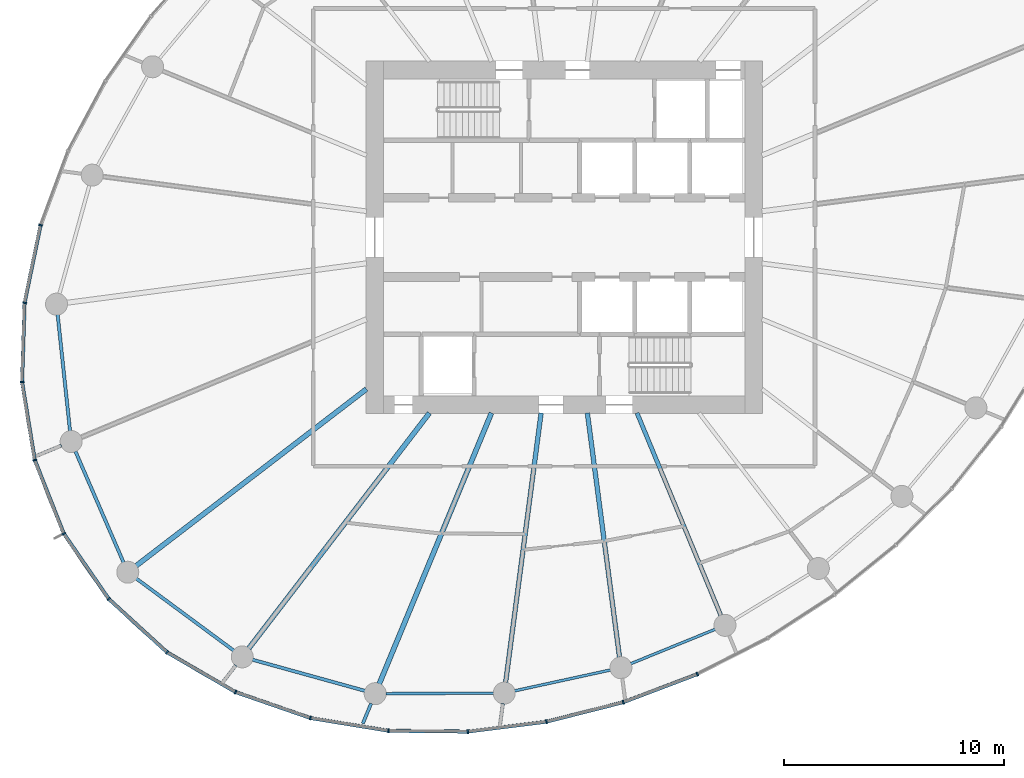
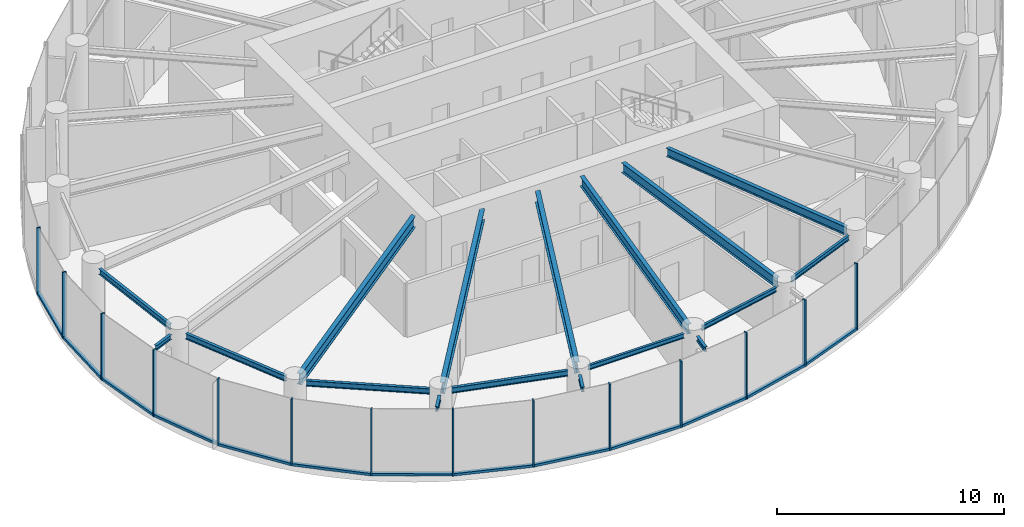
# One storey, part 2 of 14: 27 members, 17 beams, 3 elements without a shape of their own.
"""IFC4 building model written with IfcOpenShell, lengths in metres."""

from ifc_helpers import new_model, si_unit, direction, frame, origin, origin_2d, place, context, subcontext, project, spatial, rectangle, i_section, extrude, source, transform, mapped, material, layer, layer_set, material_profile, profile_set, type_object, element, aggregate, save


model = new_model("IFC4")

# Units and contexts
model_context = context("Model", 3, precision=1e-05, world=origin(), true_north=direction((0.0, 1.0)))
body_context = subcontext(model_context, "Body", "Model", "MODEL_VIEW")
ifc_project = project(units=[si_unit("LENGTHUNIT", "METRE"), si_unit("AREAUNIT", "SQUARE_METRE"), si_unit("VOLUMEUNIT", "CUBIC_METRE"), si_unit("PLANEANGLEUNIT", "RADIAN"), si_unit("MASSUNIT", "GRAM", prefix="KILO")], contexts=[model_context])

# Site, building, storey
site_placement = place(None, origin())
site = spatial("IfcSite", under=ifc_project, at=site_placement, CompositionType="ELEMENT")
building_placement = place(site_placement, origin())
building = spatial("IfcBuilding", under=site, at=building_placement, Name="Spindrift Exchange Tower", CompositionType="ELEMENT")
storey_placement = place(building_placement, frame((0.0, 0.0, 148.699951171875)))
storey = spatial("IfcBuildingStorey", under=building, at=storey_placement, Name="L35", CompositionType="ELEMENT", Elevation=148.699951171875)

# Beams
ifc_material_1 = material(Name="Steel Grade 300", Category="steel")
ifc_material_profile_1 = material_profile(ifc_material_1, i_section(OverallWidth=0.14599609375, OverallDepth=0.251953125, WebThickness=0.006103515625, FlangeThickness=0.008544921875, FilletRadius=0.011962890625, at=origin_2d()), Name="250UB31.4")
ifc_profile_set_1 = profile_set([ifc_material_profile_1], Name="Steel Grade 300")
beam_type_1 = type_object("IfcBeamType", Name="Cantilever Beam 250UB31.4 Steel Grade 300", PredefinedType="BEAM", material=ifc_profile_set_1)
shared_shape_1 = source(origin(), body_context, "Body", "SweptSolid", [
    extrude(i_section(OverallWidth=0.14599609375, OverallDepth=0.251953125, WebThickness=0.006103515625, FlangeThickness=0.008544921875, FilletRadius=0.011962890625, at=origin_2d()), origin(), (0.0, 0.0, 1.0), 0.92138671875),
])
beam_1_placement = place(storey_placement, frame((37.0830078125, 28.559814453125, 3.4541015625), z_axis=(-0.60869854627, -0.793401587955, 0.0), x_axis=(0.793401587955, -0.60869854627, 0.0)))
element("IfcBeam", 1, at=beam_1_placement, inside=storey, type_object=beam_type_1, Name="L35 cantilever beam R16T", PredefinedType="BEAM", context=body_context, shape_type="MappedRepresentation", body=[
    mapped(shared_shape_1, transform((0.0, 0.0, 0.0), scale=1.0)),
])
ifc_material_profile_2 = material_profile(ifc_material_1, i_section(OverallWidth=0.14892578125, OverallDepth=0.298095703125, WebThickness=0.005615234375, FlangeThickness=0.008056640625, FilletRadius=0.012939453125, at=origin_2d()), Name="310UB32.0")
ifc_profile_set_2 = profile_set([ifc_material_profile_2], Name="Steel Grade 300")
beam_type_2 = type_object("IfcBeamType", Name="Edge Beam 310UB32.0 Steel Grade 300", PredefinedType="SPANDREL", material=ifc_profile_set_2)
shared_shape_2 = source(origin(), body_context, "Body", "SweptSolid", [
    extrude(i_section(OverallWidth=0.14892578125, OverallDepth=0.298095703125, WebThickness=0.005615234375, FlangeThickness=0.008056640625, FilletRadius=0.012939453125, at=origin_2d()), origin(), (0.0, 0.0, 1.0), 5.31640625),
])
beam_2_placement = place(storey_placement, frame((28.989013671875, 44.486572265625, 3.43115234375), z_axis=(0.10598990948, -0.994367205357, 0.0), x_axis=(0.994367205357, 0.10598990948, 0.0)))
element("IfcBeam", 2, at=beam_2_placement, inside=storey, type_object=beam_type_2, Name="L35 edge beam E13", PredefinedType="SPANDREL", context=body_context, shape_type="MappedRepresentation", body=[
    mapped(shared_shape_2, transform((0.0, 0.0, 0.0), scale=1.0)),
])
shared_shape_3 = source(origin(), body_context, "Body", "SweptSolid", [
    extrude(i_section(OverallWidth=0.14892578125, OverallDepth=0.298095703125, WebThickness=0.005615234375, FlangeThickness=0.008056640625, FilletRadius=0.012939453125, at=origin_2d()), origin(), (0.0, 0.0, 1.0), 5.508544921875),
])
beam_3_placement = place(storey_placement, frame((29.794189453125, 38.282470703125, 3.43115234375), z_axis=(0.397414644433, -0.917639144975, 0.0), x_axis=(0.917639144975, 0.397414644433, 0.0)))
element("IfcBeam", 3, at=beam_3_placement, inside=storey, type_object=beam_type_2, Name="L35 edge beam E14", PredefinedType="SPANDREL", context=body_context, shape_type="MappedRepresentation", body=[
    mapped(shared_shape_3, transform((0.0, 0.0, 0.0), scale=1.0)),
])
shared_shape_4 = source(origin(), body_context, "Body", "SweptSolid", [
    extrude(i_section(OverallWidth=0.14892578125, OverallDepth=0.298095703125, WebThickness=0.005615234375, FlangeThickness=0.008056640625, FilletRadius=0.012939453125, at=origin_2d()), origin(), (0.0, 0.0, 1.0), 5.509033203125),
])
beam_4_placement = place(storey_placement, frame((32.56005859375, 32.501708984375, 3.43115234375), z_axis=(0.803991901791, -0.594640245741, 0.0), x_axis=(0.594640245741, 0.803991901791, 0.0)))
element("IfcBeam", 4, at=beam_4_placement, inside=storey, type_object=beam_type_2, Name="L35 edge beam E15", PredefinedType="SPANDREL", context=body_context, shape_type="MappedRepresentation", body=[
    mapped(shared_shape_4, transform((0.0, 0.0, 0.0), scale=1.0)),
])
shared_shape_5 = source(origin(), body_context, "Body", "SweptSolid", [
    extrude(i_section(OverallWidth=0.14892578125, OverallDepth=0.298095703125, WebThickness=0.005615234375, FlangeThickness=0.008056640625, FilletRadius=0.012939453125, at=origin_2d()), origin(), (0.0, 0.0, 1.0), 5.30517578125),
])
beam_5_placement = place(storey_placement, frame((37.837646484375, 28.8125, 3.43115234375), z_axis=(0.963757513624, -0.26677978734, 0.0), x_axis=(0.26677978734, 0.963757513624, 0.0)))
element("IfcBeam", 5, at=beam_5_placement, inside=storey, type_object=beam_type_2, Name="L35 edge beam E16", PredefinedType="SPANDREL", context=body_context, shape_type="MappedRepresentation", body=[
    mapped(shared_shape_5, transform((0.0, 0.0, 0.0), scale=1.0)),
])
ifc_material_profile_3 = material_profile(ifc_material_1, i_section(OverallWidth=0.1240234375, OverallDepth=0.248046875, WebThickness=0.0048828125, FlangeThickness=0.008056640625, FilletRadius=0.011962890625, at=origin_2d()), Name="250UB25.7")
ifc_profile_set_3 = profile_set([ifc_material_profile_3], Name="Steel Grade 300")
beam_type_3 = type_object("IfcBeamType", Name="Edge Beam 250UB25.7 Steel Grade 300", PredefinedType="SPANDREL", material=ifc_profile_set_3)
shared_shape_6 = source(origin(), body_context, "Body", "SweptSolid", [
    extrude(i_section(OverallWidth=0.1240234375, OverallDepth=0.248046875, WebThickness=0.0048828125, FlangeThickness=0.008056640625, FilletRadius=0.011962890625, at=origin_2d()), origin(), (0.0, 0.0, 1.0), 4.901123046875),
])
beam_6_placement = place(storey_placement, frame((43.89306640625, 27.271240234375, 3.4560546875), z_axis=(0.999990609444, 0.004333707747, 0.0), x_axis=(-0.004333707747, 0.999990609444, 0.0)))
element("IfcBeam", 6, at=beam_6_placement, inside=storey, type_object=beam_type_3, Name="L35 edge beam E17", PredefinedType="SPANDREL", context=body_context, shape_type="MappedRepresentation", body=[
    mapped(shared_shape_6, transform((0.0, 0.0, 0.0), scale=1.0)),
])
shared_shape_7 = source(origin(), body_context, "Body", "SweptSolid", [
    extrude(i_section(OverallWidth=0.1240234375, OverallDepth=0.248046875, WebThickness=0.0048828125, FlangeThickness=0.008056640625, FilletRadius=0.011962890625, at=origin_2d()), origin(), (0.0, 0.0, 1.0), 4.464111328125),
])
beam_7_placement = place(storey_placement, frame((49.7431640625, 27.396728515625, 3.4560546875), z_axis=(0.977095837978, 0.212799726048, 0.0), x_axis=(-0.212799726048, 0.977095837978, 0.0)))
element("IfcBeam", 7, at=beam_7_placement, inside=storey, type_object=beam_type_3, Name="L35 edge beam E18", PredefinedType="SPANDREL", context=body_context, shape_type="MappedRepresentation", body=[
    mapped(shared_shape_7, transform((0.0, 0.0, 0.0), scale=1.0)),
])
shared_shape_8 = source(origin(), body_context, "Body", "SweptSolid", [
    extrude(i_section(OverallWidth=0.1240234375, OverallDepth=0.248046875, WebThickness=0.0048828125, FlangeThickness=0.008056640625, FilletRadius=0.011962890625, at=origin_2d()), origin(), (0.0, 0.0, 1.0), 4.143798828125),
])
beam_8_placement = place(storey_placement, frame((55.0185546875, 28.6298828125, 3.4560546875), z_axis=(0.926113706975, 0.377244485385, 0.0), x_axis=(-0.377244485385, 0.926113706975, 0.0)))
element("IfcBeam", 8, at=beam_8_placement, inside=storey, type_object=beam_type_3, Name="L35 edge beam E19", PredefinedType="SPANDREL", context=body_context, shape_type="MappedRepresentation", body=[
    mapped(shared_shape_8, transform((0.0, 0.0, 0.0), scale=1.0)),
])
ifc_material_profile_4 = material_profile(ifc_material_1, i_section(OverallWidth=0.22802734375, OverallDepth=0.60205078125, WebThickness=0.010498046875, FlangeThickness=0.014892578125, FilletRadius=0.013916015625, at=origin_2d()), Name="610UB101")
ifc_profile_set_4 = profile_set([ifc_material_profile_4], Name="Steel Grade 300")
beam_type_4 = type_object("IfcBeamType", Name="Floor Beam 610UB101 Steel Grade 300", PredefinedType="BEAM", material=ifc_profile_set_4)
shared_shape_9 = source(origin(), body_context, "Body", "SweptSolid", [
    extrude(i_section(OverallWidth=0.22802734375, OverallDepth=0.60205078125, WebThickness=0.010498046875, FlangeThickness=0.014892578125, FilletRadius=0.013916015625, at=origin_2d()), origin(), (0.0, 0.0, 1.0), 13.185546875),
])
beam_9_placement = place(storey_placement, frame((43.015869140625, 41.106201171875, 3.279052734375), z_axis=(-0.793357156703, -0.608756455332, 0.0), x_axis=(0.608756455332, -0.793357156703, 0.0)))
element("IfcBeam", 9, at=beam_9_placement, inside=storey, type_object=beam_type_4, Name="L35 radial beam R15A", PredefinedType="BEAM", context=body_context, shape_type="MappedRepresentation", body=[
    mapped(shared_shape_9, transform((0.0, 0.0, 0.0), scale=1.0)),
])
shared_shape_10 = source(origin(), body_context, "Body", "SweptSolid", [
    extrude(i_section(OverallWidth=0.22802734375, OverallDepth=0.60205078125, WebThickness=0.010498046875, FlangeThickness=0.014892578125, FilletRadius=0.013916015625, at=origin_2d()), origin(), (0.0, 0.0, 1.0), 13.480224609375),
])
beam_10_placement = place(storey_placement, frame((45.87353515625, 40.015869140625, 3.279052734375), z_axis=(-0.608764179541, -0.793351229726, 0.0), x_axis=(0.793351229726, -0.608764179541, 0.0)))
element("IfcBeam", 10, at=beam_10_placement, inside=storey, type_object=beam_type_4, Name="L35 radial beam R16A", PredefinedType="BEAM", context=body_context, shape_type="MappedRepresentation", body=[
    mapped(shared_shape_10, transform((0.0, 0.0, 0.0), scale=1.0)),
])
shared_shape_11 = source(origin(), body_context, "Body", "SweptSolid", [
    extrude(i_section(OverallWidth=0.22802734375, OverallDepth=0.60205078125, WebThickness=0.010498046875, FlangeThickness=0.014892578125, FilletRadius=0.013916015625, at=origin_2d()), origin(), (0.0, 0.0, 1.0), 13.31982421875),
])
beam_11_placement = place(storey_placement, frame((48.69384765625, 40.0185546875, 3.279052734375), z_axis=(-0.382676632888, -0.923882348918, 0.0), x_axis=(0.923882348918, -0.382676632888, 0.0)))
element("IfcBeam", 11, at=beam_11_placement, inside=storey, type_object=beam_type_4, Name="L35 radial beam R17A", PredefinedType="BEAM", context=body_context, shape_type="MappedRepresentation", body=[
    mapped(shared_shape_11, transform((0.0, 0.0, 0.0), scale=1.0)),
])
ifc_material_profile_5 = material_profile(ifc_material_1, i_section(OverallWidth=0.208984375, OverallDepth=0.528076171875, WebThickness=0.009521484375, FlangeThickness=0.01318359375, FilletRadius=0.013916015625, at=origin_2d()), Name="530UB82.0")
ifc_profile_set_5 = profile_set([ifc_material_profile_5], Name="Steel Grade 300")
beam_type_5 = type_object("IfcBeamType", Name="Floor Beam 530UB82.0 Steel Grade 300", PredefinedType="BEAM", material=ifc_profile_set_5)
shared_shape_12 = source(origin(), body_context, "Body", "SweptSolid", [
    extrude(i_section(OverallWidth=0.208984375, OverallDepth=0.528076171875, WebThickness=0.009521484375, FlangeThickness=0.01318359375, FilletRadius=0.013916015625, at=origin_2d()), origin(), (0.0, 0.0, 1.0), 12.35498046875),
])
beam_12_placement = place(storey_placement, frame((50.949462890625, 40.019775390625, 3.316162109375), z_axis=(-0.130537831721, -0.991443328935, 0.0), x_axis=(0.991443328935, -0.130537831721, 0.0)))
element("IfcBeam", 12, at=beam_12_placement, inside=storey, type_object=beam_type_5, Name="L35 radial beam R18A", PredefinedType="BEAM", context=body_context, shape_type="MappedRepresentation", body=[
    mapped(shared_shape_12, transform((0.0, 0.0, 0.0), scale=1.0)),
])
shared_shape_13 = source(origin(), body_context, "Body", "SweptSolid", [
    extrude(i_section(OverallWidth=0.208984375, OverallDepth=0.528076171875, WebThickness=0.009521484375, FlangeThickness=0.01318359375, FilletRadius=0.013916015625, at=origin_2d()), origin(), (0.0, 0.0, 1.0), 11.19091796875),
])
beam_13_placement = place(storey_placement, frame((53.050537109375, 40.019775390625, 3.316162109375), z_axis=(0.130524489434, -0.991445085548, 0.0), x_axis=(0.991445085548, 0.130524489434, 0.0)))
element("IfcBeam", 13, at=beam_13_placement, inside=storey, type_object=beam_type_5, Name="L35 radial beam R19A", PredefinedType="BEAM", context=body_context, shape_type="MappedRepresentation", body=[
    mapped(shared_shape_13, transform((0.0, 0.0, 0.0), scale=1.0)),
])
ifc_material_profile_6 = material_profile(ifc_material_1, i_section(OverallWidth=0.18994140625, OverallDepth=0.4541015625, WebThickness=0.008544921875, FlangeThickness=0.0126953125, FilletRadius=0.013916015625, at=origin_2d()), Name="460UB67.1")
ifc_profile_set_6 = profile_set([ifc_material_profile_6], Name="Steel Grade 300")
beam_type_6 = type_object("IfcBeamType", Name="Floor Beam 460UB67.1 Steel Grade 300", PredefinedType="BEAM", material=ifc_profile_set_6)
shared_shape_14 = source(origin(), body_context, "Body", "SweptSolid", [
    extrude(i_section(OverallWidth=0.18994140625, OverallDepth=0.4541015625, WebThickness=0.008544921875, FlangeThickness=0.0126953125, FilletRadius=0.013916015625, at=origin_2d()), origin(), (0.0, 0.0, 1.0), 9.958984375),
])
beam_14_placement = place(storey_placement, frame((55.30615234375, 40.0185546875, 3.35302734375), z_axis=(0.382673670509, -0.923883575944, 0.0), x_axis=(0.923883575944, 0.382673670509, 0.0)))
element("IfcBeam", 14, at=beam_14_placement, inside=storey, type_object=beam_type_6, Name="L35 radial beam R20A", PredefinedType="BEAM", context=body_context, shape_type="MappedRepresentation", body=[
    mapped(shared_shape_14, transform((0.0, 0.0, 0.0), scale=1.0)),
])
shared_shape_15 = source(origin(), body_context, "Body", "SweptSolid", [
    extrude(i_section(OverallWidth=0.14599609375, OverallDepth=0.251953125, WebThickness=0.006103515625, FlangeThickness=0.008544921875, FilletRadius=0.011962890625, at=origin_2d()), origin(), (0.0, 0.0, 1.0), 1.1044921875),
])
beam_15_placement = place(storey_placement, frame((29.159912109375, 38.539306640625, 3.4541015625), z_axis=(-0.923911779543, -0.382605571864, 0.0), x_axis=(0.382605571864, -0.923911779543, 0.0)))
element("IfcBeam", 15, at=beam_15_placement, inside=storey, type_object=beam_type_1, Name="L35 cantilever beam R14T", PredefinedType="BEAM", context=body_context, shape_type="MappedRepresentation", body=[
    mapped(shared_shape_15, transform((0.0, 0.0, 0.0), scale=1.0)),
])
shared_shape_16 = source(origin(), body_context, "Body", "SweptSolid", [
    extrude(i_section(OverallWidth=0.14599609375, OverallDepth=0.251953125, WebThickness=0.006103515625, FlangeThickness=0.008544921875, FilletRadius=0.011962890625, at=origin_2d()), origin(), (0.0, 0.0, 1.0), 0.99267578125),
])
beam_16_placement = place(storey_placement, frame((43.229248046875, 26.82568359375, 3.4541015625), z_axis=(-0.382728331332, -0.923860933472, 0.0), x_axis=(0.923860933472, -0.382728331332, 0.0)))
element("IfcBeam", 16, at=beam_16_placement, inside=storey, type_object=beam_type_1, Name="L35 cantilever beam R17T", PredefinedType="BEAM", context=body_context, shape_type="MappedRepresentation", body=[
    mapped(shared_shape_16, transform((0.0, 0.0, 0.0), scale=1.0)),
])
shared_shape_17 = source(origin(), body_context, "Body", "SweptSolid", [
    extrude(i_section(OverallWidth=0.14599609375, OverallDepth=0.251953125, WebThickness=0.006103515625, FlangeThickness=0.008544921875, FilletRadius=0.011962890625, at=origin_2d()), origin(), (0.0, 0.0, 1.0), 0.951416015625),
])
beam_17_placement = place(storey_placement, frame((49.21142578125, 26.81884765625, 3.4541015625), z_axis=(-0.13060053092, -0.991435071663, 0.0), x_axis=(0.991435071663, -0.13060053092, 0.0)))
element("IfcBeam", 17, at=beam_17_placement, inside=storey, type_object=beam_type_1, Name="L35 cantilever beam R18T", PredefinedType="BEAM", context=body_context, shape_type="MappedRepresentation", body=[
    mapped(shared_shape_17, transform((0.0, 0.0, 0.0), scale=1.0)),
])

# Curtain wall, members
ifc_material_2 = material(Name="Fritted laminated glass with bronze frame", Category="glass")
ifc_layer = layer(ifc_material_2, 0.179931640625)
ifc_layer_set = layer_set([ifc_layer], Name="ZONE 3 BRONZE FRITTED WALL")
curtain_wall_type = type_object("IfcCurtainWallType", Name="ZONE 3 BRONZE FRITTED WALL", PredefinedType="NOTDEFINED", material=ifc_layer_set)
curtain_wall_1_placement = place(storey_placement, origin())
curtain_wall_1 = element("IfcCurtainWall", 18, at=curtain_wall_1_placement, inside=storey, type_object=curtain_wall_type, Name="L35 Zone 3 Bronze Fritted Wall run 5", PredefinedType="NOTDEFINED")
ifc_material_3 = material(Name="Bronze anodised aluminium", Category="aluminium")
ifc_material_profile_7 = material_profile(ifc_material_3, rectangle(XDim=0.159912109375, YDim=0.1298828125, at=origin_2d()), Name="ZONE 3 BRONZE FRITTED WALL TRANSOM 160X130")
ifc_profile_set_7 = profile_set([ifc_material_profile_7], Name="Bronze anodised aluminium")
member_type_1 = type_object("IfcMemberType", Name="ZONE 3 BRONZE FRITTED WALL TRANSOM 160X130", PredefinedType="USERDEFINED", material=ifc_profile_set_7)
shared_shape_18 = source(origin(), body_context, "Body", "SweptSolid", [
    extrude(rectangle(XDim=0.159912109375, YDim=0.1298828125, at=origin_2d()), origin(), (0.0, 0.0, 1.0), 3.53076171875),
])
member_1_placement = place(storey_placement, frame((54.714111328125, 26.891845703125, 0.06494140625), z_axis=(0.935052859981, 0.35450832013, 0.0), x_axis=(-0.35450832013, 0.935052859981, 0.0)))
member_1 = element("IfcMember", 19, at=member_1_placement, type_object=member_type_1, Name="L35 transom CW-3.29", ObjectType="TRANSOM", PredefinedType="USERDEFINED", context=body_context, shape_type="MappedRepresentation", body=[
    mapped(shared_shape_18, transform((0.0, 0.0, 0.0), scale=1.0)),
])
shared_shape_19 = source(origin(), body_context, "Body", "SweptSolid", [
    extrude(rectangle(XDim=0.159912109375, YDim=0.1298828125, at=origin_2d()), origin(), (0.0, 0.0, 1.0), 3.5302734375),
])
member_2_placement = place(storey_placement, frame((47.65380859375, 25.551513671875, 0.06494140625), z_axis=(0.992204289439, 0.124622020601, 0.0), x_axis=(-0.124622020601, 0.992204289439, 0.0)))
member_2 = element("IfcMember", 20, at=member_2_placement, type_object=member_type_1, Name="L35 transom CW-3.27", ObjectType="TRANSOM", PredefinedType="USERDEFINED", context=body_context, shape_type="MappedRepresentation", body=[
    mapped(shared_shape_19, transform((0.0, 0.0, 0.0), scale=1.0)),
])
member_3_placement = place(storey_placement, frame((51.22509765625, 26.00439453125, 0.06494140625), z_axis=(0.969414083557, 0.245430916147, 0.0), x_axis=(-0.245430916147, 0.969414083557, 0.0)))
member_3 = element("IfcMember", 21, at=member_3_placement, type_object=member_type_1, Name="L35 transom CW-3.28", ObjectType="TRANSOM", PredefinedType="USERDEFINED", context=body_context, shape_type="MappedRepresentation", body=[
    mapped(shared_shape_19, transform((0.0, 0.0, 0.0), scale=1.0)),
])

# Curtain wall, member
curtain_wall_2_placement = place(storey_placement, origin())
curtain_wall_2 = element("IfcCurtainWall", 22, at=curtain_wall_2_placement, inside=storey, type_object=curtain_wall_type, Name="L35 Zone 3 Bronze Fritted Wall run 3", PredefinedType="NOTDEFINED")
shared_shape_20 = source(origin(), body_context, "Body", "SweptSolid", [
    extrude(rectangle(XDim=0.159912109375, YDim=0.1298828125, at=origin_2d()), origin(), (0.0, 0.0, 1.0), 3.52880859375),
])
member_4_placement = place(storey_placement, frame((28.205810546875, 48.51611328125, 0.06494140625), z_axis=(-0.201953539544, -0.979395103044, 0.0), x_axis=(0.979395103044, -0.201953539544, 0.0)))
member_4 = element("IfcMember", 23, at=member_4_placement, type_object=member_type_1, Name="L35 transom CW-3.17", ObjectType="TRANSOM", PredefinedType="USERDEFINED", context=body_context, shape_type="MappedRepresentation", body=[
    mapped(shared_shape_20, transform((0.0, 0.0, 0.0), scale=1.0)),
])

# Curtain wall, members
curtain_wall_3_placement = place(storey_placement, origin())
curtain_wall_3 = element("IfcCurtainWall", 24, at=curtain_wall_3_placement, inside=storey, type_object=curtain_wall_type, Name="L35 Zone 3 Bronze Fritted Wall run 4", PredefinedType="NOTDEFINED")
shared_shape_21 = source(origin(), body_context, "Body", "SweptSolid", [
    extrude(rectangle(XDim=0.159912109375, YDim=0.1298828125, at=origin_2d()), origin(), (0.0, 0.0, 1.0), 3.525146484375),
])
member_5_placement = place(storey_placement, frame((27.96240234375, 37.84814453125, 0.06494140625), z_axis=(0.366920535029, -0.930252288884, 0.0), x_axis=(0.930252288884, 0.366920535029, 0.0)))
member_5 = element("IfcMember", 25, at=member_5_placement, type_object=member_type_1, Name="L35 transom CW-3.20", ObjectType="TRANSOM", PredefinedType="USERDEFINED", context=body_context, shape_type="MappedRepresentation", body=[
    mapped(shared_shape_21, transform((0.0, 0.0, 0.0), scale=1.0)),
])
member_6_placement = place(storey_placement, frame((31.33251953125, 31.5517578125, 0.06494140625), z_axis=(0.737849441885, -0.674965333265, 0.0), x_axis=(0.674965333265, 0.737849441885, 0.0)))
member_6 = element("IfcMember", 26, at=member_6_placement, type_object=member_type_1, Name="L35 transom CW-3.22", ObjectType="TRANSOM", PredefinedType="USERDEFINED", context=body_context, shape_type="MappedRepresentation", body=[
    mapped(shared_shape_21, transform((0.0, 0.0, 0.0), scale=1.0)),
])

# Member
ifc_material_profile_8 = material_profile(ifc_material_3, rectangle(XDim=0.070068359375, YDim=0.179931640625, at=origin_2d()), Name="ZONE 3 BRONZE FRITTED WALL MULLION 70X180")
ifc_profile_set_8 = profile_set([ifc_material_profile_8], Name="Bronze anodised aluminium")
member_type_2 = type_object("IfcMemberType", Name="ZONE 3 BRONZE FRITTED WALL MULLION 70X180", PredefinedType="MULLION", material=ifc_profile_set_8)
shared_shape_22 = source(origin(), body_context, "Body", "SweptSolid", [
    extrude(rectangle(XDim=0.070068359375, YDim=0.179931640625, at=origin_2d()), origin(), (0.0, 0.0, 1.0), 3.580078125),
])
member_7_placement = place(storey_placement, frame((28.212890625, 48.55029296875, 0.0), z_axis=(0.0, 0.0, 1.0), x_axis=(-0.275433396464, -0.961320156926, 0.0)))
member_7 = element("IfcMember", 27, at=member_7_placement, type_object=member_type_2, Name="L35 mullion CW-3.17", PredefinedType="MULLION", context=body_context, shape_type="MappedRepresentation", body=[
    mapped(shared_shape_22, transform((0.0, 0.0, 0.0), scale=1.0)),
])

member_8_placement = place(storey_placement, frame((27.486083984375, 45.02587890625, 0.0), z_axis=(0.0, 0.0, 1.0), x_axis=(-0.117395881732, -0.993085196221, 0.0)))
member_8 = element("IfcMember", 28, at=member_8_placement, type_object=member_type_2, Name="L35 mullion CW-3.18", PredefinedType="MULLION", context=body_context, shape_type="MappedRepresentation", body=[
    mapped(shared_shape_22, transform((0.0, 0.0, 0.0), scale=1.0)),
])

member_9_placement = place(storey_placement, frame((27.37109375, 41.43017578125, 0.0), z_axis=(0.0, 0.0, 1.0), x_axis=(0.064724019588, -0.997903202364, 0.0)))
member_9 = element("IfcMember", 29, at=member_9_placement, type_object=member_type_2, Name="L35 mullion CW-3.19", PredefinedType="MULLION", context=body_context, shape_type="MappedRepresentation", body=[
    mapped(shared_shape_22, transform((0.0, 0.0, 0.0), scale=1.0)),
])

member_10_placement = place(storey_placement, frame((27.949462890625, 37.880615234375, 0.0), z_axis=(0.0, 0.0, 1.0), x_axis=(0.265411091856, -0.964135339213, 0.0)))
member_10 = element("IfcMember", 30, at=member_10_placement, type_object=member_type_2, Name="L35 mullion CW-3.20", PredefinedType="MULLION", context=body_context, shape_type="MappedRepresentation", body=[
    mapped(shared_shape_22, transform((0.0, 0.0, 0.0), scale=1.0)),
])

member_11_placement = place(storey_placement, frame((29.268798828125, 34.536376953125, 0.0), z_axis=(0.0, 0.0, 1.0), x_axis=(0.469975055734, -0.882679696712, 0.0)))
member_11 = element("IfcMember", 31, at=member_11_placement, type_object=member_type_2, Name="L35 mullion CW-3.21", PredefinedType="MULLION", context=body_context, shape_type="MappedRepresentation", body=[
    mapped(shared_shape_22, transform((0.0, 0.0, 0.0), scale=1.0)),
])

member_12_placement = place(storey_placement, frame((31.306640625, 31.5751953125, 0.0), z_axis=(0.0, 0.0, 1.0), x_axis=(0.656645172645, -0.754199653435, 0.0)))
member_12 = element("IfcMember", 32, at=member_12_placement, type_object=member_type_2, Name="L35 mullion CW-3.22", PredefinedType="MULLION", context=body_context, shape_type="MappedRepresentation", body=[
    mapped(shared_shape_22, transform((0.0, 0.0, 0.0), scale=1.0)),
])

member_13_placement = place(storey_placement, frame((33.95947265625, 29.148681640625, 0.0), z_axis=(0.0, 0.0, 1.0), x_axis=(0.805786604209, -0.592206001723, 0.0)))
member_13 = element("IfcMember", 33, at=member_13_placement, type_object=member_type_2, Name="L35 mullion CW-3.23", PredefinedType="MULLION", context=body_context, shape_type="MappedRepresentation", body=[
    mapped(shared_shape_22, transform((0.0, 0.0, 0.0), scale=1.0)),
])

member_14_placement = place(storey_placement, frame((37.068359375, 27.341064453125, 0.0), z_axis=(0.0, 0.0, 1.0), x_axis=(0.908993944323, -0.416809319935, 0.0)))
member_14 = element("IfcMember", 34, at=member_14_placement, type_object=member_type_2, Name="L35 mullion CW-3.24", PredefinedType="MULLION", context=body_context, shape_type="MappedRepresentation", body=[
    mapped(shared_shape_22, transform((0.0, 0.0, 0.0), scale=1.0)),
])

member_15_placement = place(storey_placement, frame((40.468017578125, 26.16455078125, 0.0), z_axis=(0.0, 0.0, 1.0), x_axis=(0.969531058982, -0.244968417697, 0.0)))
member_15 = element("IfcMember", 35, at=member_15_placement, type_object=member_type_2, Name="L35 mullion CW-3.25", PredefinedType="MULLION", context=body_context, shape_type="MappedRepresentation", body=[
    mapped(shared_shape_22, transform((0.0, 0.0, 0.0), scale=1.0)),
])

member_16_placement = place(storey_placement, frame((44.019775390625, 25.584716796875, 0.0), z_axis=(0.0, 0.0, 1.0), x_axis=(0.996293912806, -0.086014180836, 0.0)))
member_16 = element("IfcMember", 36, at=member_16_placement, type_object=member_type_2, Name="L35 mullion CW-3.26", PredefinedType="MULLION", context=body_context, shape_type="MappedRepresentation", body=[
    mapped(shared_shape_22, transform((0.0, 0.0, 0.0), scale=1.0)),
])

member_17_placement = place(storey_placement, frame((47.618896484375, 25.547119140625, 0.0), z_axis=(0.0, 0.0, 1.0), x_axis=(0.998362110379, 0.057210982861, 0.0)))
member_17 = element("IfcMember", 37, at=member_17_placement, type_object=member_type_2, Name="L35 mullion CW-3.27", PredefinedType="MULLION", context=body_context, shape_type="MappedRepresentation", body=[
    mapped(shared_shape_22, transform((0.0, 0.0, 0.0), scale=1.0)),
])

member_18_placement = place(storey_placement, frame((51.191162109375, 25.99560546875, 0.0), z_axis=(0.0, 0.0, 1.0), x_axis=(0.982667935689, 0.185374561815, 0.0)))
member_18 = element("IfcMember", 38, at=member_18_placement, type_object=member_type_2, Name="L35 mullion CW-3.28", PredefinedType="MULLION", context=body_context, shape_type="MappedRepresentation", body=[
    mapped(shared_shape_22, transform((0.0, 0.0, 0.0), scale=1.0)),
])

member_19_placement = place(storey_placement, frame((54.681396484375, 26.87939453125, 0.0), z_axis=(0.0, 0.0, 1.0), x_axis=(0.953792026504, 0.300467585902, 0.0)))
member_19 = element("IfcMember", 39, at=member_19_placement, type_object=member_type_2, Name="L35 mullion CW-3.29", PredefinedType="MULLION", context=body_context, shape_type="MappedRepresentation", body=[
    mapped(shared_shape_22, transform((0.0, 0.0, 0.0), scale=1.0)),
])

member_20_placement = place(storey_placement, frame((58.04833984375, 28.156005859375, 0.0), z_axis=(0.0, 0.0, 1.0), x_axis=(0.914434609891, 0.404733670743, 0.0)))
member_20 = element("IfcMember", 40, at=member_20_placement, type_object=member_type_2, Name="L35 mullion CW-3.30", PredefinedType="MULLION", context=body_context, shape_type="MappedRepresentation", body=[
    mapped(shared_shape_22, transform((0.0, 0.0, 0.0), scale=1.0)),
])

shared_shape_23 = source(origin(), body_context, "Body", "SweptSolid", [
    extrude(rectangle(XDim=0.159912109375, YDim=0.1298828125, at=origin_2d()), origin(), (0.0, 0.0, 1.0), 3.529541015625),
])
member_21_placement = place(storey_placement, frame((44.0546875, 25.584228515625, 0.06494140625), z_axis=(0.999946170397, -0.01037575578, 0.0), x_axis=(0.01037575578, 0.999946170397, 0.0)))
member_21 = element("IfcMember", 41, at=member_21_placement, type_object=member_type_1, Name="L35 transom CW-3.26", ObjectType="TRANSOM", PredefinedType="USERDEFINED", context=body_context, shape_type="MappedRepresentation", body=[
    mapped(shared_shape_23, transform((0.0, 0.0, 0.0), scale=1.0)),
])

shared_shape_24 = source(origin(), body_context, "Body", "SweptSolid", [
    extrude(rectangle(XDim=0.159912109375, YDim=0.1298828125, at=origin_2d()), origin(), (0.0, 0.0, 1.0), 3.524658203125),
])
member_22_placement = place(storey_placement, frame((29.28857421875, 34.507568359375, 0.06494140625), z_axis=(0.566963831833, -0.823742686397, 0.0), x_axis=(0.823742686397, 0.566963831833, 0.0)))
member_22 = element("IfcMember", 42, at=member_22_placement, type_object=member_type_1, Name="L35 transom CW-3.21", ObjectType="TRANSOM", PredefinedType="USERDEFINED", context=body_context, shape_type="MappedRepresentation", body=[
    mapped(shared_shape_24, transform((0.0, 0.0, 0.0), scale=1.0)),
])

shared_shape_25 = source(origin(), body_context, "Body", "SweptSolid", [
    extrude(rectangle(XDim=0.159912109375, YDim=0.1298828125, at=origin_2d()), origin(), (0.0, 0.0, 1.0), 3.527587890625),
])
member_23_placement = place(storey_placement, frame((27.485107421875, 44.990966796875, 0.06494140625), z_axis=(-0.031973672945, -0.999488711411, 0.0), x_axis=(0.999488711411, -0.031973672945, 0.0)))
member_23 = element("IfcMember", 43, at=member_23_placement, type_object=member_type_1, Name="L35 transom CW-3.18", ObjectType="TRANSOM", PredefinedType="USERDEFINED", context=body_context, shape_type="MappedRepresentation", body=[
    mapped(shared_shape_25, transform((0.0, 0.0, 0.0), scale=1.0)),
])

aggregate(curtain_wall_2, [member_7, member_4, member_8, member_23])

member_24_placement = place(storey_placement, frame((37.101318359375, 27.32958984375, 0.06494140625), z_axis=(0.945023093648, -0.327003597033, 0.0), x_axis=(0.327003597033, 0.945023093648, 0.0)))
member_24 = element("IfcMember", 44, at=member_24_placement, type_object=member_type_1, Name="L35 transom CW-3.24", ObjectType="TRANSOM", PredefinedType="USERDEFINED", context=body_context, shape_type="MappedRepresentation", body=[
    mapped(shared_shape_25, transform((0.0, 0.0, 0.0), scale=1.0)),
])

shared_shape_26 = source(origin(), body_context, "Body", "SweptSolid", [
    extrude(rectangle(XDim=0.159912109375, YDim=0.1298828125, at=origin_2d()), origin(), (0.0, 0.0, 1.0), 3.526123046875),
])
member_25_placement = place(storey_placement, frame((27.376708984375, 41.3955078125, 0.06494140625), z_axis=(0.160838734841, -0.986980699596, 0.0), x_axis=(0.986980699596, 0.160838734841, 0.0)))
member_25 = element("IfcMember", 45, at=member_25_placement, type_object=member_type_1, Name="L35 transom CW-3.19", ObjectType="TRANSOM", PredefinedType="USERDEFINED", context=body_context, shape_type="MappedRepresentation", body=[
    mapped(shared_shape_26, transform((0.0, 0.0, 0.0), scale=1.0)),
])

member_26_placement = place(storey_placement, frame((33.98974609375, 29.131103515625, 0.06494140625), z_axis=(0.86448619671, -0.502656558395, 0.0), x_axis=(0.502656558395, 0.86448619671, 0.0)))
member_26 = element("IfcMember", 46, at=member_26_placement, type_object=member_type_1, Name="L35 transom CW-3.23", ObjectType="TRANSOM", PredefinedType="USERDEFINED", context=body_context, shape_type="MappedRepresentation", body=[
    mapped(shared_shape_26, transform((0.0, 0.0, 0.0), scale=1.0)),
])

aggregate(curtain_wall_3, [member_9, member_25, member_10, member_5, member_11, member_22, member_12, member_6, member_13, member_26, member_14, member_24])

shared_shape_27 = source(origin(), body_context, "Body", "SweptSolid", [
    extrude(rectangle(XDim=0.159912109375, YDim=0.1298828125, at=origin_2d()), origin(), (0.0, 0.0, 1.0), 3.528564453125),
])
member_27_placement = place(storey_placement, frame((40.502685546875, 26.158935546875, 0.06494140625), z_axis=(0.986930859723, -0.161144277362, 0.0), x_axis=(0.161144277362, 0.986930859723, 0.0)))
member_27 = element("IfcMember", 47, at=member_27_placement, type_object=member_type_1, Name="L35 transom CW-3.25", ObjectType="TRANSOM", PredefinedType="USERDEFINED", context=body_context, shape_type="MappedRepresentation", body=[
    mapped(shared_shape_27, transform((0.0, 0.0, 0.0), scale=1.0)),
])

aggregate(curtain_wall_1, [member_15, member_27, member_16, member_21, member_17, member_2, member_18, member_3, member_19, member_1, member_20])

save(model, "model.ifc")
